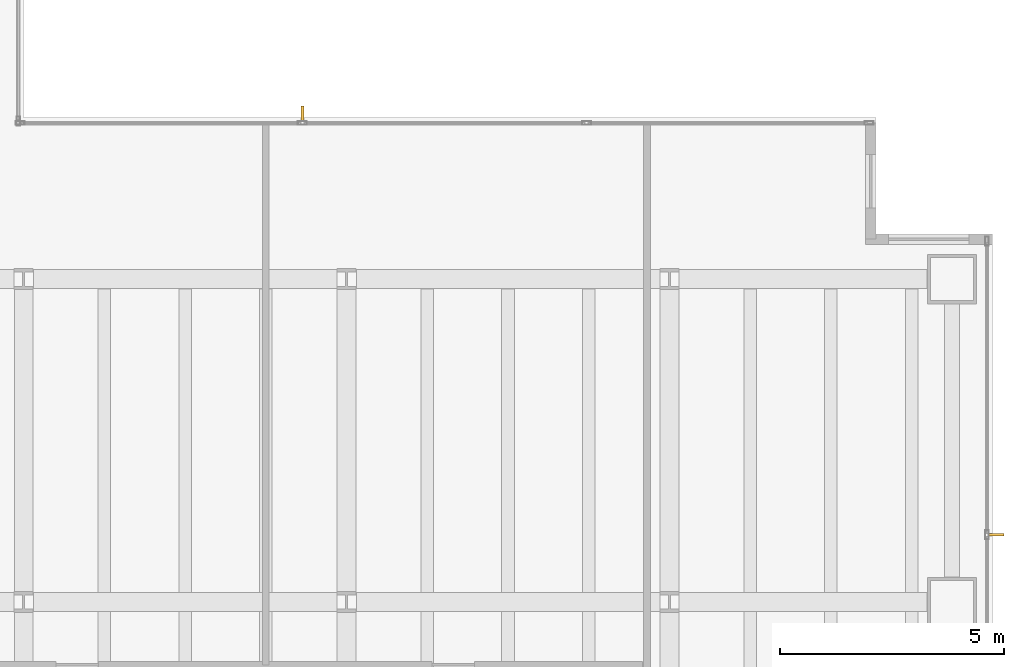
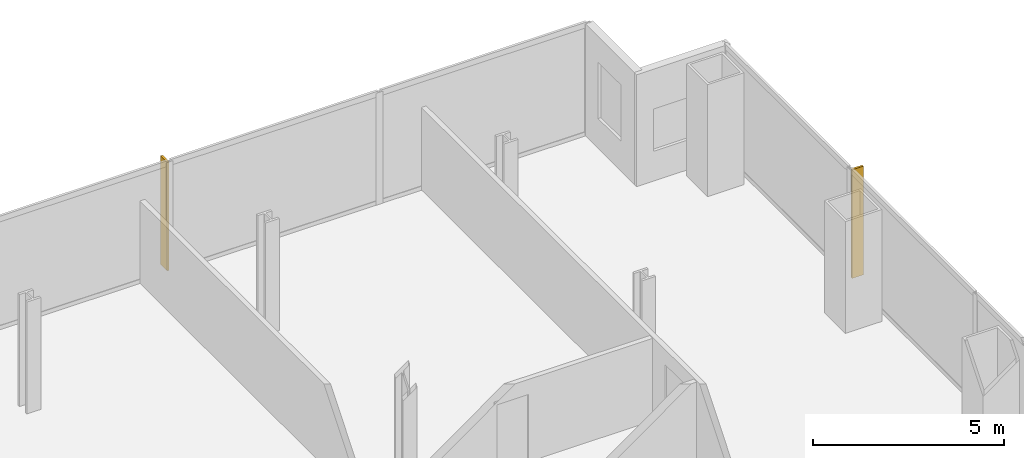
# One storey, part 24 of 25: 2 shading devices.
"""IFC4 building model written with IfcOpenShell, lengths in metres."""

from ifc_helpers import new_model, si_unit, direction, frame, origin, place, context, subcontext, project, spatial, polyline, outline, extrude, material, layer, layer_set, type_object, element, save


model = new_model("IFC4")

# Units and contexts
model_context = context("Model", 3, precision=1e-05, world=origin(), true_north=direction((0.0, 1.0)))
body_context = subcontext(model_context, "Body", "Model", "MODEL_VIEW")
ifc_project = project(units=[si_unit("LENGTHUNIT", "METRE"), si_unit("AREAUNIT", "SQUARE_METRE"), si_unit("VOLUMEUNIT", "CUBIC_METRE"), si_unit("PLANEANGLEUNIT", "RADIAN"), si_unit("MASSUNIT", "GRAM", prefix="KILO")], contexts=[model_context])

# Site, building, storey
site_placement = place(None, origin())
site = spatial("IfcSite", under=ifc_project, at=site_placement, CompositionType="ELEMENT")
building_placement = place(site_placement, origin())
building = spatial("IfcBuilding", under=site, at=building_placement, Name="Cobrela Telecom Tower", CompositionType="ELEMENT")
storey_placement = place(building_placement, frame((0.0, 0.0, 35.0)))
storey = spatial("IfcBuildingStorey", under=building, at=storey_placement, Name="L08", CompositionType="ELEMENT", Elevation=35.0)

# Shading devices
ifc_material = material(Name="Anodized Bronze Aluminium 6063-T6", Category="aluminium")
ifc_layer = layer(ifc_material, 0.06005859375)
ifc_layer_set = layer_set([ifc_layer], Name="Anodized Bronze Aluminium 6063-T6")
shading_device_type = type_object("IfcShadingDeviceType", Name="SHD-FIN-BRZ", PredefinedType="USERDEFINED", material=ifc_layer_set)
shading_device_1_placement = place(storey_placement, frame((0.0, 0.0, 0.050048828125)))
element("IfcShadingDevice", 1, at=shading_device_1_placement, inside=storey, type_object=shading_device_type, Name="L08 Anodized Bronze Solar Fin 13", ObjectType="SUNSHADE", PredefinedType="USERDEFINED", context=body_context, shape_type="SweptSolid", body=[
    extrude(outline(polyline([(34.98681640625, 25.1201171875), (35.046630859375, 25.1201171875), (35.046630859375, 25.4599609375), (34.98681640625, 25.4599609375), (34.98681640625, 25.1201171875)])), origin(), (0.0, 0.0, 1.0), 3.469970703125),
])
shading_device_2_placement = place(storey_placement, frame((0.0, 0.0, 0.050048828125)))
element("IfcShadingDevice", 2, at=shading_device_2_placement, inside=storey, type_object=shading_device_type, Name="L08 Anodized Bronze Solar Fin 14", ObjectType="SUNSHADE", PredefinedType="USERDEFINED", context=body_context, shape_type="SweptSolid", body=[
    extrude(outline(polyline([(50.320068359375, 15.9267578125), (50.320068359375, 15.86669921875), (50.659912109375, 15.86669921875), (50.659912109375, 15.9267578125), (50.320068359375, 15.9267578125)])), origin(), (0.0, 0.0, 1.0), 3.469970703125),
])

save(model, "model.ifc")
